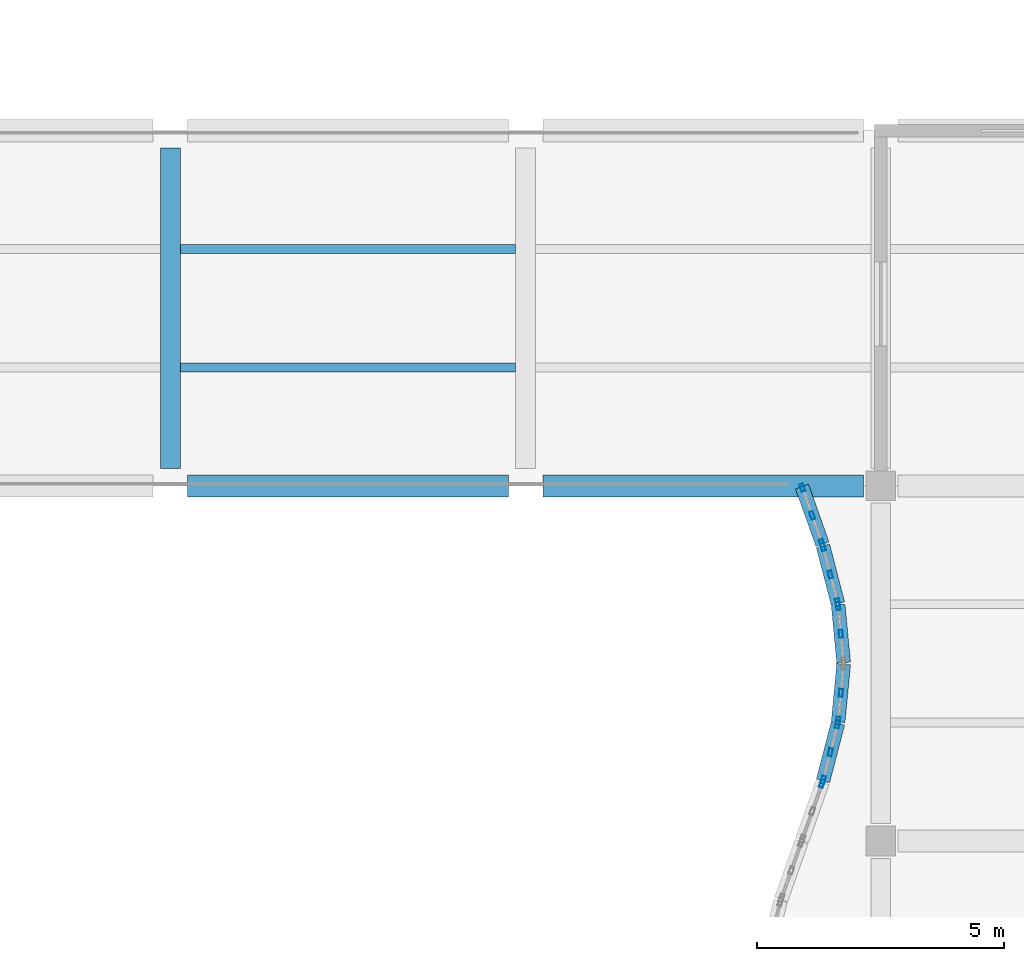
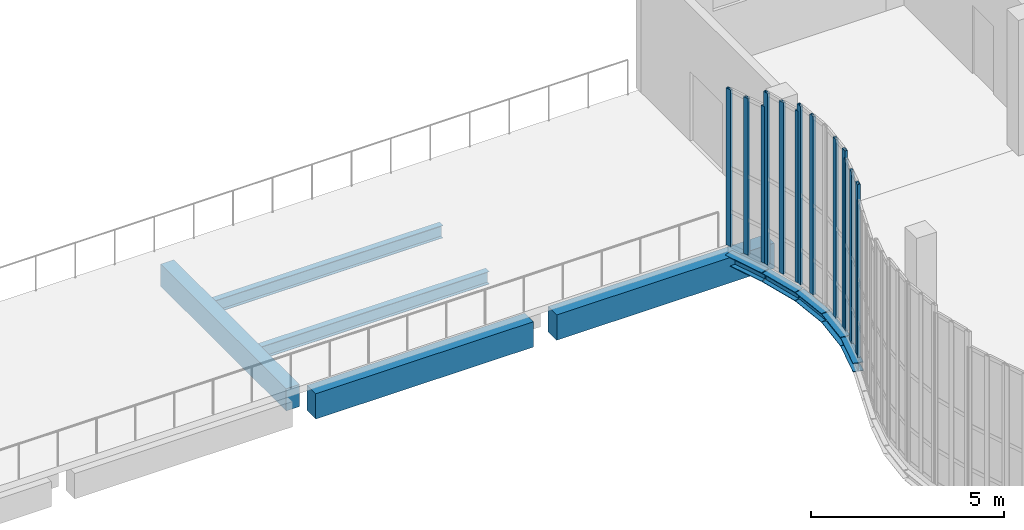
# One storey, part 21 of 105: 14 members, 10 beams, 6 elements without a shape of their own.
"""IFC4 building model written with IfcOpenShell, lengths in metres."""

from ifc_helpers import new_model, si_unit, direction, frame, origin, origin_2d, place, context, subcontext, project, spatial, rectangle, hollow_rectangle, i_section, extrude, material, layer, layer_set, material_profile, profile_set, type_object, element, aggregate, save


model = new_model("IFC4")

# Units and contexts
model_context = context("Model", 3, precision=1e-05, world=origin(), true_north=direction((0.0, 1.0)))
body_context = subcontext(model_context, "Body", "Model", "MODEL_VIEW")
ifc_project = project(units=[si_unit("LENGTHUNIT", "METRE"), si_unit("AREAUNIT", "SQUARE_METRE"), si_unit("VOLUMEUNIT", "CUBIC_METRE"), si_unit("PLANEANGLEUNIT", "RADIAN"), si_unit("MASSUNIT", "GRAM", prefix="KILO"), si_unit("THERMODYNAMICTEMPERATUREUNIT", "KELVIN"), si_unit("POWERUNIT", "WATT")], contexts=[model_context])

# Site, building, storey
site_placement = place(None, origin())
site = spatial("IfcSite", under=ifc_project, at=site_placement, CompositionType="ELEMENT")
building_placement = place(site_placement, origin())
building = spatial("IfcBuilding", under=site, at=building_placement, Name="Kaldorven Railside Theatre", CompositionType="ELEMENT")
storey_placement = place(building_placement, frame((0.0, 0.0, 9.89990234375)))
storey = spatial("IfcBuildingStorey", under=building, at=storey_placement, Name="L02", CompositionType="ELEMENT", Elevation=9.89990234375)

# Beams
ifc_material_1 = material(Name="Steel S355", Category="steel")
ifc_material_profile_1 = material_profile(ifc_material_1, i_section(OverallWidth=0.280029296875, OverallDepth=0.280029296875, WebThickness=0.010498046875, FlangeThickness=0.01806640625, at=origin_2d()), Name="HEB 280")
ifc_profile_set_1 = profile_set([ifc_material_profile_1], Name="Steel S355")
beam_type_1 = type_object("IfcBeamType", Name="BM-HEB280", PredefinedType="SPANDREL", material=ifc_profile_set_1)
beam_1_placement = place(storey_placement, frame((71.62890625, 63.614501953125, -0.389892578125), z_axis=(0.250885106576, 0.968016871391, 0.0), x_axis=(-0.968016871391, 0.250885106576, 0.0)))
element("IfcBeam", 1, at=beam_1_placement, inside=storey, type_object=beam_type_1, Name="L02 Sinusoidal Flute Edge Spandrel FSB-260", PredefinedType="SPANDREL", context=body_context, shape_type="SweptSolid", body=[
    extrude(i_section(OverallWidth=0.280029296875, OverallDepth=0.280029296875, WebThickness=0.010498046875, FlangeThickness=0.01806640625, at=origin_2d()), origin(), (0.0, 0.0, 1.0), 1.20947265625),
])
for number, where, z_axis, x_axis, name in (
    (2, (71.9375, 64.81494140625, -0.389892578125), (0.094505233873, 0.99552436473, 0.0), (-0.99552436473, 0.094505233873, 0.0), "L02 Sinusoidal Flute Edge Spandrel FSB-261"),
    (3, (72.048583984375, 66.014892578125, -0.389892578125), (-0.094505233873, 0.99552436473, 0.0), (-0.99552436473, -0.094505233873, 0.0), "L02 Sinusoidal Flute Edge Spandrel FSB-262"),
):
    element("IfcBeam", number, at=place(storey_placement, frame(where, z_axis=z_axis, x_axis=x_axis)), inside=storey, type_object=beam_type_1, Name=name, PredefinedType="SPANDREL", context=body_context, shape_type="SweptSolid", body=[
        extrude(i_section(OverallWidth=0.280029296875, OverallDepth=0.280029296875, WebThickness=0.010498046875, FlangeThickness=0.01806640625, at=origin_2d()), origin(), (0.0, 0.0, 1.0), 1.175537109375),
    ])
beam_2_placement = place(storey_placement, frame((71.932373046875, 67.214599609375, -0.389892578125), z_axis=(-0.250885106576, 0.968016871391, 0.0), x_axis=(-0.968016871391, -0.250885106576, 0.0)))
element("IfcBeam", 4, at=beam_2_placement, inside=storey, type_object=beam_type_1, Name="L02 Sinusoidal Flute Edge Spandrel FSB-263", PredefinedType="SPANDREL", context=body_context, shape_type="SweptSolid", body=[
    extrude(i_section(OverallWidth=0.280029296875, OverallDepth=0.280029296875, WebThickness=0.010498046875, FlangeThickness=0.01806640625, at=origin_2d()), origin(), (0.0, 0.0, 1.0), 1.20947265625),
])
beam_3_placement = place(storey_placement, frame((71.6201171875, 68.4140625, -0.389892578125), z_axis=(-0.333847142245, 0.942627225161, 0.0), x_axis=(-0.942627225161, -0.333847142245, 0.0)))
element("IfcBeam", 5, at=beam_3_placement, inside=storey, type_object=beam_type_1, Name="L02 Sinusoidal Flute Edge Spandrel FSB-264", PredefinedType="SPANDREL", context=body_context, shape_type="SweptSolid", body=[
    extrude(i_section(OverallWidth=0.280029296875, OverallDepth=0.280029296875, WebThickness=0.010498046875, FlangeThickness=0.01806640625, at=origin_2d()), origin(), (0.0, 0.0, 1.0), 1.2431640625),
])
ifc_material_profile_2 = material_profile(ifc_material_1, i_section(OverallWidth=0.179931640625, OverallDepth=0.39990234375, WebThickness=0.008544921875, FlangeThickness=0.013427734375, at=origin_2d()), Name="IPE 400")
ifc_profile_set_2 = profile_set([ifc_material_profile_2], Name="Steel S355")
beam_type_2 = type_object("IfcBeamType", Name="BM-IPE400", PredefinedType="JOIST", material=ifc_profile_set_2)
for number, where, z_axis, x_axis, name in (
    (6, (58.60009765625, 72.0, -0.419921875), (1.0, 0.0, 0.0), (0.0, 1.0, 0.0), "L02 Secondary Floor Joist JG-L02-058-0720"),
    (7, (58.60009765625, 74.39990234375, -0.419921875), (1.0, 0.0, 0.0), (0.0, 1.0, 0.0), "L02 Secondary Floor Joist JG-L02-058-0744"),
):
    element("IfcBeam", number, at=place(storey_placement, frame(where, z_axis=z_axis, x_axis=x_axis)), inside=storey, type_object=beam_type_2, Name=name, PredefinedType="JOIST", context=body_context, shape_type="SweptSolid", body=[
        extrude(i_section(OverallWidth=0.179931640625, OverallDepth=0.39990234375, WebThickness=0.008544921875, FlangeThickness=0.013427734375, at=origin_2d()), origin(), (0.0, 0.0, 1.0), 6.7998046875),
    ])
ifc_material_2 = material(Name="Concrete C40/50", Category="concrete")
ifc_material_profile_3 = material_profile(ifc_material_2, rectangle(XDim=0.39990234375, YDim=0.699951171875, at=origin_2d()), Name="RC 400x700")
ifc_profile_set_3 = profile_set([ifc_material_profile_3], Name="Concrete C40/50")
beam_type_3 = type_object("IfcBeamType", Name="BM-RC400x700", PredefinedType="BEAM", material=ifc_profile_set_3)
beam_4_placement = place(storey_placement, frame((58.39990234375, 69.949951171875, -0.56982421875), z_axis=(0.0, 1.0, 0.0), x_axis=(-1.0, 0.0, 0.0)))
element("IfcBeam", 8, at=beam_4_placement, inside=storey, type_object=beam_type_3, Name="L02 Girder BGY-L02-058-069-72", PredefinedType="BEAM", context=body_context, shape_type="SweptSolid", body=[
    extrude(rectangle(XDim=0.39990234375, YDim=0.699951171875, at=origin_2d()), origin(), (0.0, 0.0, 1.0), 6.5),
])
ifc_material_profile_4 = material_profile(ifc_material_2, rectangle(XDim=0.449951171875, YDim=0.800048828125, at=origin_2d()), Name="RC 450x800")
ifc_profile_set_4 = profile_set([ifc_material_profile_4], Name="Concrete C40/50")
beam_type_4 = type_object("IfcBeamType", Name="BM-RC450x800", PredefinedType="BEAM", material=ifc_profile_set_4)
for number, where, z_axis, x_axis, name in (
    (9, (58.75, 69.60009765625, -0.619873046875), (1.0, 0.0, 0.0), (0.0, 1.0, 0.0), "L02 Girder BGX-L02-058-069"),
    (10, (65.949951171875, 69.60009765625, -0.64990234375), (1.0, 0.0, 0.0), (0.0, 1.0, 0.0), "L02 Girder BGX-L02-065-069"),
):
    element("IfcBeam", number, at=place(storey_placement, frame(where, z_axis=z_axis, x_axis=x_axis)), inside=storey, type_object=beam_type_4, Name=name, PredefinedType="BEAM", context=body_context, shape_type="SweptSolid", body=[
        extrude(rectangle(XDim=0.449951171875, YDim=0.800048828125, at=origin_2d()), origin(), (0.0, 0.0, 1.0), 6.5),
    ])

# Curtain wall, member
ifc_material_3 = material(Name="Low-E laminated solar-control glass", Category="glass")
ifc_layer_1 = layer(ifc_material_3, 0.159912109375, Name="Low-E laminated solar-control glass")
ifc_layer_set_1 = layer_set([ifc_layer_1], Name="Low-E laminated solar-control glass")
curtain_wall_type_1 = type_object("IfcCurtainWallType", Name="CWT-22", PredefinedType="USERDEFINED", material=ifc_layer_set_1)
curtain_wall_1_placement = place(storey_placement, origin())
curtain_wall_1 = element("IfcCurtainWall", 11, at=curtain_wall_1_placement, inside=storey, type_object=curtain_wall_type_1, Name="Sinusoidal Fluted Curtain Wall CW-L02-W19", ObjectType="FLUTED GLAZING", PredefinedType="USERDEFINED")
ifc_material_4 = material(Name="Anodised bronze aluminium", Category="aluminium")
ifc_material_profile_5 = material_profile(ifc_material_4, hollow_rectangle(XDim=0.080078125, YDim=0.159912109375, WallThickness=0.00634765625, at=origin_2d()), Name="RHS 160x80x6.3")
ifc_profile_set_5 = profile_set([ifc_material_profile_5], Name="Anodised bronze aluminium")
member_type = type_object("IfcMemberType", Name="CWM-160", PredefinedType="MULLION", material=ifc_profile_set_5)
member_1_placement = place(storey_placement, frame((71.611572265625, 63.562255859375, 0.0), z_axis=(0.0, 0.0, 1.0), x_axis=(-0.942627225159, 0.33384714225, 0.0)))
member_1 = element("IfcMember", 12, at=member_1_placement, type_object=member_type, Name="CW-L02-W19 mullion 3", PredefinedType="MULLION", context=body_context, shape_type="SweptSolid", body=[
    extrude(hollow_rectangle(XDim=0.080078125, YDim=0.159912109375, WallThickness=0.00634765625, at=origin_2d()), origin(), (0.0, 0.0, 1.0), 4.9501953125),
])
aggregate(curtain_wall_1, [member_1])

# Curtain wall, members
ifc_layer_2 = layer(ifc_material_3, 0.159912109375, Name="Low-E laminated solar-control glass")
ifc_layer_set_2 = layer_set([ifc_layer_2], Name="Low-E laminated solar-control glass")
curtain_wall_type_2 = type_object("IfcCurtainWallType", Name="CWT-23", PredefinedType="USERDEFINED", material=ifc_layer_set_2)
curtain_wall_2_placement = place(storey_placement, origin())
curtain_wall_2 = element("IfcCurtainWall", 13, at=curtain_wall_2_placement, inside=storey, type_object=curtain_wall_type_2, Name="Sinusoidal Fluted Curtain Wall CW-L02-W20", ObjectType="FLUTED GLAZING", PredefinedType="USERDEFINED")
member_2_placement = place(storey_placement, frame((71.635009765625, 63.638671875, 0.0), z_axis=(0.0, 0.0, 1.0), x_axis=(-0.967999075505, 0.250953760326, 0.0)))
member_2 = element("IfcMember", 14, at=member_2_placement, type_object=member_type, Name="CW-L02-W20 mullion 1", PredefinedType="MULLION", context=body_context, shape_type="SweptSolid", body=[
    extrude(hollow_rectangle(XDim=0.080078125, YDim=0.159912109375, WallThickness=0.00634765625, at=origin_2d()), origin(), (0.0, 0.0, 1.0), 5.420166015625),
])
member_3_placement = place(storey_placement, frame((71.780517578125, 64.199951171875, 0.0), z_axis=(0.0, 0.0, 1.0), x_axis=(-0.967999075505, 0.250953760326, 0.0)))
member_3 = element("IfcMember", 15, at=member_3_placement, type_object=member_type, Name="CW-L02-W20 mullion 2", PredefinedType="MULLION", context=body_context, shape_type="SweptSolid", body=[
    extrude(hollow_rectangle(XDim=0.080078125, YDim=0.159912109375, WallThickness=0.00634765625, at=origin_2d()), origin(), (0.0, 0.0, 1.0), 5.420166015625),
])
member_4_placement = place(storey_placement, frame((71.926025390625, 64.76123046875, 0.0), z_axis=(0.0, 0.0, 1.0), x_axis=(-0.967999075505, 0.250953760326, 0.0)))
member_4 = element("IfcMember", 16, at=member_4_placement, type_object=member_type, Name="CW-L02-W20 mullion 3", PredefinedType="MULLION", context=body_context, shape_type="SweptSolid", body=[
    extrude(hollow_rectangle(XDim=0.080078125, YDim=0.159912109375, WallThickness=0.00634765625, at=origin_2d()), origin(), (0.0, 0.0, 1.0), 5.420166015625),
])
aggregate(curtain_wall_2, [member_2, member_3, member_4])

ifc_layer_3 = layer(ifc_material_3, 0.159912109375, Name="Low-E laminated solar-control glass")
ifc_layer_set_3 = layer_set([ifc_layer_3], Name="Low-E laminated solar-control glass")
curtain_wall_type_3 = type_object("IfcCurtainWallType", Name="CWT-24", PredefinedType="USERDEFINED", material=ifc_layer_set_3)
curtain_wall_3_placement = place(storey_placement, origin())
curtain_wall_3 = element("IfcCurtainWall", 17, at=curtain_wall_3_placement, inside=storey, type_object=curtain_wall_type_3, Name="Sinusoidal Fluted Curtain Wall CW-L02-W21", ObjectType="FLUTED GLAZING", PredefinedType="USERDEFINED")
member_5_placement = place(storey_placement, frame((71.93994140625, 64.83984375, 0.0), z_axis=(0.0, 0.0, 1.0), x_axis=(-0.995525623425, 0.094491973758, 0.0)))
member_5 = element("IfcMember", 18, at=member_5_placement, type_object=member_type, Name="CW-L02-W21 mullion 1", PredefinedType="MULLION", context=body_context, shape_type="SweptSolid", body=[
    extrude(hollow_rectangle(XDim=0.080078125, YDim=0.159912109375, WallThickness=0.00634765625, at=origin_2d()), origin(), (0.0, 0.0, 1.0), 5.64013671875),
])
member_6_placement = place(storey_placement, frame((71.9931640625, 65.39990234375, 0.0), z_axis=(0.0, 0.0, 1.0), x_axis=(-0.995525623425, 0.094491973758, 0.0)))
member_6 = element("IfcMember", 19, at=member_6_placement, type_object=member_type, Name="CW-L02-W21 mullion 2", PredefinedType="MULLION", context=body_context, shape_type="SweptSolid", body=[
    extrude(hollow_rectangle(XDim=0.080078125, YDim=0.159912109375, WallThickness=0.00634765625, at=origin_2d()), origin(), (0.0, 0.0, 1.0), 5.64013671875),
])
aggregate(curtain_wall_3, [member_5, member_6])

curtain_wall_4_placement = place(storey_placement, origin())
curtain_wall_4 = element("IfcCurtainWall", 20, at=curtain_wall_4_placement, inside=storey, type_object=curtain_wall_type_3, Name="Sinusoidal Fluted Curtain Wall CW-L02-W22", ObjectType="FLUTED GLAZING", PredefinedType="USERDEFINED")
member_7_placement = place(storey_placement, frame((71.9931640625, 66.60009765625, 0.0), z_axis=(0.0, 0.0, 1.0), x_axis=(-0.995525623425, -0.094491973758, 0.0)))
member_7 = element("IfcMember", 21, at=member_7_placement, type_object=member_type, Name="CW-L02-W22 mullion 2", PredefinedType="MULLION", context=body_context, shape_type="SweptSolid", body=[
    extrude(hollow_rectangle(XDim=0.080078125, YDim=0.159912109375, WallThickness=0.00634765625, at=origin_2d()), origin(), (0.0, 0.0, 1.0), 5.64013671875),
])
member_8_placement = place(storey_placement, frame((71.93994140625, 67.16015625, 0.0), z_axis=(0.0, 0.0, 1.0), x_axis=(-0.995525623425, -0.094491973758, 0.0)))
member_8 = element("IfcMember", 22, at=member_8_placement, type_object=member_type, Name="CW-L02-W22 mullion 3", PredefinedType="MULLION", context=body_context, shape_type="SweptSolid", body=[
    extrude(hollow_rectangle(XDim=0.080078125, YDim=0.159912109375, WallThickness=0.00634765625, at=origin_2d()), origin(), (0.0, 0.0, 1.0), 5.64013671875),
])
aggregate(curtain_wall_4, [member_7, member_8])

curtain_wall_5_placement = place(storey_placement, origin())
curtain_wall_5 = element("IfcCurtainWall", 23, at=curtain_wall_5_placement, inside=storey, type_object=curtain_wall_type_2, Name="Sinusoidal Fluted Curtain Wall CW-L02-W23", ObjectType="FLUTED GLAZING", PredefinedType="USERDEFINED")
member_9_placement = place(storey_placement, frame((71.926025390625, 67.23876953125, 0.0), z_axis=(0.0, 0.0, 1.0), x_axis=(-0.967999075505, -0.250953760326, 0.0)))
member_9 = element("IfcMember", 24, at=member_9_placement, type_object=member_type, Name="CW-L02-W23 mullion 1", PredefinedType="MULLION", context=body_context, shape_type="SweptSolid", body=[
    extrude(hollow_rectangle(XDim=0.080078125, YDim=0.159912109375, WallThickness=0.00634765625, at=origin_2d()), origin(), (0.0, 0.0, 1.0), 5.420166015625),
])
member_10_placement = place(storey_placement, frame((71.780517578125, 67.800048828125, 0.0), z_axis=(0.0, 0.0, 1.0), x_axis=(-0.967999075505, -0.250953760326, 0.0)))
member_10 = element("IfcMember", 25, at=member_10_placement, type_object=member_type, Name="CW-L02-W23 mullion 2", PredefinedType="MULLION", context=body_context, shape_type="SweptSolid", body=[
    extrude(hollow_rectangle(XDim=0.080078125, YDim=0.159912109375, WallThickness=0.00634765625, at=origin_2d()), origin(), (0.0, 0.0, 1.0), 5.420166015625),
])
member_11_placement = place(storey_placement, frame((71.635009765625, 68.361328125, 0.0), z_axis=(0.0, 0.0, 1.0), x_axis=(-0.967999075505, -0.250953760326, 0.0)))
member_11 = element("IfcMember", 26, at=member_11_placement, type_object=member_type, Name="CW-L02-W23 mullion 3", PredefinedType="MULLION", context=body_context, shape_type="SweptSolid", body=[
    extrude(hollow_rectangle(XDim=0.080078125, YDim=0.159912109375, WallThickness=0.00634765625, at=origin_2d()), origin(), (0.0, 0.0, 1.0), 5.420166015625),
])
aggregate(curtain_wall_5, [member_9, member_10, member_11])

curtain_wall_6_placement = place(storey_placement, origin())
curtain_wall_6 = element("IfcCurtainWall", 27, at=curtain_wall_6_placement, inside=storey, type_object=curtain_wall_type_1, Name="Sinusoidal Fluted Curtain Wall CW-L02-W24", ObjectType="FLUTED GLAZING", PredefinedType="USERDEFINED")
member_12_placement = place(storey_placement, frame((71.611572265625, 68.437744140625, 0.0), z_axis=(0.0, 0.0, 1.0), x_axis=(-0.942627225159, -0.33384714225, 0.0)))
member_12 = element("IfcMember", 28, at=member_12_placement, type_object=member_type, Name="CW-L02-W24 mullion 1", PredefinedType="MULLION", context=body_context, shape_type="SweptSolid", body=[
    extrude(hollow_rectangle(XDim=0.080078125, YDim=0.159912109375, WallThickness=0.00634765625, at=origin_2d()), origin(), (0.0, 0.0, 1.0), 4.9501953125),
])
member_13_placement = place(storey_placement, frame((71.41259765625, 69.0, 0.0), z_axis=(0.0, 0.0, 1.0), x_axis=(-0.942627225159, -0.33384714225, 0.0)))
member_13 = element("IfcMember", 29, at=member_13_placement, type_object=member_type, Name="CW-L02-W24 mullion 2", PredefinedType="MULLION", context=body_context, shape_type="SweptSolid", body=[
    extrude(hollow_rectangle(XDim=0.080078125, YDim=0.159912109375, WallThickness=0.00634765625, at=origin_2d()), origin(), (0.0, 0.0, 1.0), 4.9501953125),
])
member_14_placement = place(storey_placement, frame((71.21337890625, 69.562255859375, 0.0), z_axis=(0.0, 0.0, 1.0), x_axis=(-0.942627225159, -0.33384714225, 0.0)))
member_14 = element("IfcMember", 30, at=member_14_placement, type_object=member_type, Name="CW-L02-W24 mullion 3", PredefinedType="MULLION", context=body_context, shape_type="SweptSolid", body=[
    extrude(hollow_rectangle(XDim=0.080078125, YDim=0.159912109375, WallThickness=0.00634765625, at=origin_2d()), origin(), (0.0, 0.0, 1.0), 4.9501953125),
])
aggregate(curtain_wall_6, [member_12, member_13, member_14])

save(model, "model.ifc")
